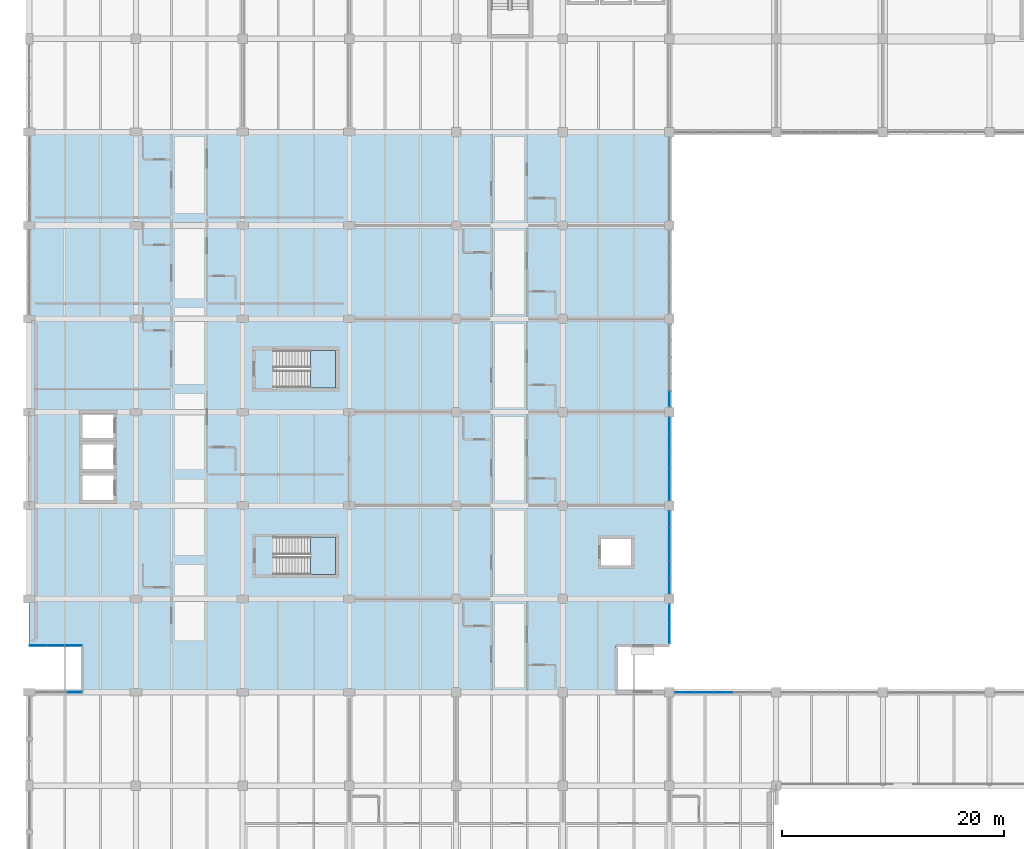
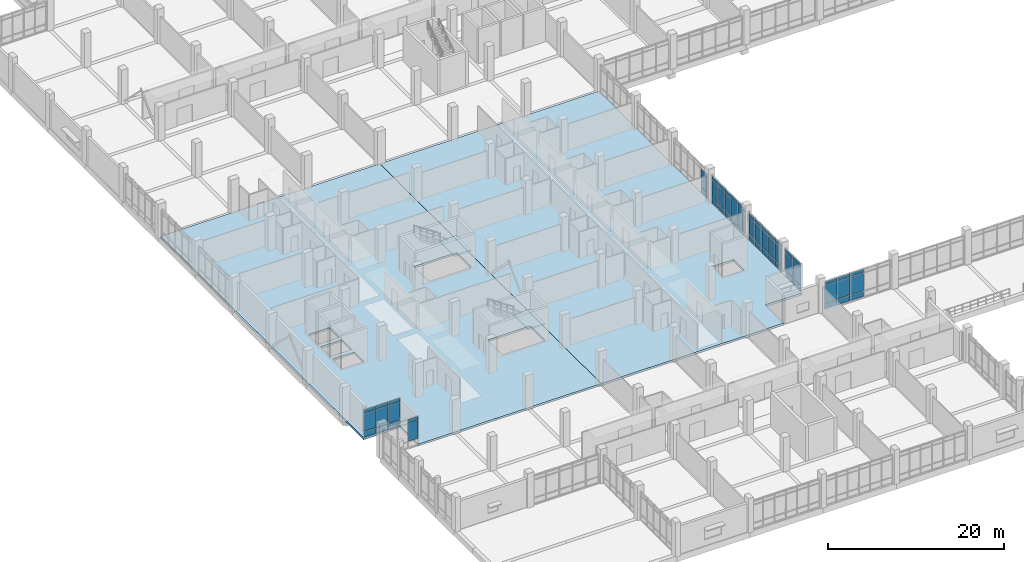
# One storey, part 87 of 152: 58 plates, 4 slabs, 9 elements without a shape of their own.
"""IFC4 building model written with IfcOpenShell, lengths in metres."""

from ifc_helpers import new_model, si_unit, direction, frame, origin, origin_2d, place, context, subcontext, project, spatial, polyline, rectangle, outline, extrude, material, layer, layer_set, type_object, element, aggregate, save


model = new_model("IFC4")

# Units and contexts
model_context = context("Model", 3, precision=1e-05, world=origin(), true_north=direction((0.0, 1.0)))
body_context = subcontext(model_context, "Body", "Model", "MODEL_VIEW")
ifc_project = project(units=[si_unit("LENGTHUNIT", "METRE"), si_unit("AREAUNIT", "SQUARE_METRE"), si_unit("VOLUMEUNIT", "CUBIC_METRE"), si_unit("PLANEANGLEUNIT", "RADIAN"), si_unit("MASSUNIT", "GRAM", prefix="KILO")], contexts=[model_context])

# Site, building, storey
site_placement = place(None, origin())
site = spatial("IfcSite", under=ifc_project, at=site_placement, CompositionType="ELEMENT")
building_placement = place(site_placement, origin())
building = spatial("IfcBuilding", under=site, at=building_placement, Name="Oolite Switchyard Hospital", CompositionType="ELEMENT")
storey_placement = place(building_placement, frame((0.0, 0.0, 5.10009765625)))
storey = spatial("IfcBuildingStorey", under=building, at=storey_placement, Name="L01", CompositionType="ELEMENT", Elevation=5.10009765625)

# Curtain wall, plates
ifc_material_1 = material(Name="Thermally broken aluminum frame with laminated impact glazing", Category="aluminium")
curtain_wall_type_1 = type_object("IfcCurtainWallType", Name="CW-UNIT-84X48", PredefinedType="USERDEFINED", material=ifc_material_1)
curtain_wall_1_placement = place(storey_placement, origin())
curtain_wall_1 = element("IfcCurtainWall", 1, at=curtain_wall_1_placement, inside=storey, type_object=curtain_wall_type_1, Name="L01 Unitised Curtain Wall 108", ObjectType="UNITISED", PredefinedType="USERDEFINED")
ifc_material_2 = material(Name="Insulated fluoropolymer-coated aluminum spandrel panel", Category="aluminium")
ifc_layer_1 = layer(ifc_material_2, 0.070068359375)
ifc_layer_set_1 = layer_set([ifc_layer_1], Name="CW-PNL-SPN70")
plate_type_1 = type_object("IfcPlateType", Name="CW-PNL-SPN70", PredefinedType="CURTAIN_PANEL", material=ifc_layer_set_1)
plate_1_placement = place(storey_placement, frame((4.072509765625, 33.60009765625, 0.8798828125), z_axis=(0.0, 0.0, 1.0), x_axis=(1.0, 0.0, 0.0)))
plate_1 = element("IfcPlate", 2, at=plate_1_placement, type_object=plate_type_1, Name="CW-07 panel 3.2", PredefinedType="CURTAIN_PANEL", context=body_context, shape_type="SweptSolid", body=[
    extrude(rectangle(XDim=1.31494140625, YDim=0.070068359375, at=origin_2d()), origin(), (0.0, 0.0, 1.0), 2.47998046875),
])
plate_2_placement = place(storey_placement, frame((4.072509765625, 33.60009765625, 3.419921875), z_axis=(0.0, 0.0, 1.0), x_axis=(1.0, 0.0, 0.0)))
plate_2 = element("IfcPlate", 3, at=plate_2_placement, type_object=plate_type_1, Name="CW-07 panel 3.3", PredefinedType="CURTAIN_PANEL", context=body_context, shape_type="SweptSolid", body=[
    extrude(rectangle(XDim=1.31494140625, YDim=0.070068359375, at=origin_2d()), origin(), (0.0, 0.0, 1.0), 0.4599609375),
])
aggregate(curtain_wall_1, [plate_1, plate_2])

curtain_wall_2_placement = place(storey_placement, origin())
curtain_wall_2 = element("IfcCurtainWall", 4, at=curtain_wall_2_placement, inside=storey, type_object=curtain_wall_type_1, Name="L01 Unitised Curtain Wall 169", ObjectType="UNITISED", PredefinedType="USERDEFINED")
plate_3_placement = place(storey_placement, frame((57.60009765625, 60.0107421875, 0.07470703125), z_axis=(0.0, 0.0, 1.0), x_axis=(0.0, -1.0, 0.0)))
plate_3 = element("IfcPlate", 5, at=plate_3_placement, type_object=plate_type_1, Name="CW-07 panel 5.1", PredefinedType="CURTAIN_PANEL", context=body_context, shape_type="SweptSolid", body=[
    extrude(rectangle(XDim=1.3916015625, YDim=0.070068359375, at=origin_2d()), origin(), (0.0, 0.0, 1.0), 0.737548828125),
])
plate_4_placement = place(storey_placement, frame((57.60009765625, 60.0107421875, 0.88720703125), z_axis=(0.0, 0.0, 1.0), x_axis=(0.0, -1.0, 0.0)))
plate_4 = element("IfcPlate", 6, at=plate_4_placement, type_object=plate_type_1, Name="CW-07 panel 5.2", PredefinedType="CURTAIN_PANEL", context=body_context, shape_type="SweptSolid", body=[
    extrude(rectangle(XDim=1.3916015625, YDim=0.070068359375, at=origin_2d()), origin(), (0.0, 0.0, 1.0), 2.465087890625),
])
aggregate(curtain_wall_2, [plate_3, plate_4])

curtain_wall_3_placement = place(storey_placement, origin())
curtain_wall_3 = element("IfcCurtainWall", 7, at=curtain_wall_3_placement, inside=storey, type_object=curtain_wall_type_1, Name="L01 Unitised Curtain Wall 170", ObjectType="UNITISED", PredefinedType="USERDEFINED")
ifc_material_3 = material(Name="Laminated hurricane-impact insulated glazing unit", Category="glass")
ifc_layer_2 = layer(ifc_material_3, 0.028076171875)
ifc_layer_set_2 = layer_set([ifc_layer_2], Name="CW-PNL-VIS28")
plate_type_2 = type_object("IfcPlateType", Name="CW-PNL-VIS28", PredefinedType="CURTAIN_PANEL", material=ifc_layer_set_2)
plate_5_placement = place(storey_placement, frame((57.60009765625, 57.593017578125, 0.06005859375), z_axis=(0.0, 0.0, 1.0), x_axis=(0.0, -1.0, 0.0)))
plate_5 = element("IfcPlate", 8, at=plate_5_placement, type_object=plate_type_2, Name="CW-07 panel 1.1", PredefinedType="CURTAIN_PANEL", context=body_context, shape_type="SweptSolid", body=[
    extrude(rectangle(XDim=1.4140625, YDim=0.028076171875, at=origin_2d()), origin(), (0.0, 0.0, 1.0), 0.760009765625),
])
plate_6_placement = place(storey_placement, frame((57.60009765625, 57.593017578125, 0.8798828125), z_axis=(0.0, 0.0, 1.0), x_axis=(0.0, -1.0, 0.0)))
plate_6 = element("IfcPlate", 9, at=plate_6_placement, type_object=plate_type_2, Name="CW-07 panel 1.2", PredefinedType="CURTAIN_PANEL", context=body_context, shape_type="SweptSolid", body=[
    extrude(rectangle(XDim=1.4140625, YDim=0.028076171875, at=origin_2d()), origin(), (0.0, 0.0, 1.0), 2.47998046875),
])
plate_7_placement = place(storey_placement, frame((57.60009765625, 57.593017578125, 3.419921875), z_axis=(0.0, 0.0, 1.0), x_axis=(0.0, -1.0, 0.0)))
plate_7 = element("IfcPlate", 10, at=plate_7_placement, type_object=plate_type_2, Name="CW-07 panel 1.3", PredefinedType="CURTAIN_PANEL", context=body_context, shape_type="SweptSolid", body=[
    extrude(rectangle(XDim=1.4140625, YDim=0.028076171875, at=origin_2d()), origin(), (0.0, 0.0, 1.0), 0.4599609375),
])
plate_8_placement = place(storey_placement, frame((57.60009765625, 56.10400390625, 0.06005859375), z_axis=(0.0, 0.0, 1.0), x_axis=(0.0, -1.0, 0.0)))
plate_8 = element("IfcPlate", 11, at=plate_8_placement, type_object=plate_type_2, Name="CW-07 panel 2.1", PredefinedType="CURTAIN_PANEL", context=body_context, shape_type="SweptSolid", body=[
    extrude(rectangle(XDim=1.444091796875, YDim=0.028076171875, at=origin_2d()), origin(), (0.0, 0.0, 1.0), 0.760009765625),
])
plate_9_placement = place(storey_placement, frame((57.60009765625, 56.10400390625, 0.8798828125), z_axis=(0.0, 0.0, 1.0), x_axis=(0.0, -1.0, 0.0)))
plate_9 = element("IfcPlate", 12, at=plate_9_placement, type_object=plate_type_2, Name="CW-07 panel 2.2", PredefinedType="CURTAIN_PANEL", context=body_context, shape_type="SweptSolid", body=[
    extrude(rectangle(XDim=1.444091796875, YDim=0.028076171875, at=origin_2d()), origin(), (0.0, 0.0, 1.0), 2.47998046875),
])
plate_10_placement = place(storey_placement, frame((57.60009765625, 56.10400390625, 3.419921875), z_axis=(0.0, 0.0, 1.0), x_axis=(0.0, -1.0, 0.0)))
plate_10 = element("IfcPlate", 13, at=plate_10_placement, type_object=plate_type_2, Name="CW-07 panel 2.3", PredefinedType="CURTAIN_PANEL", context=body_context, shape_type="SweptSolid", body=[
    extrude(rectangle(XDim=1.444091796875, YDim=0.028076171875, at=origin_2d()), origin(), (0.0, 0.0, 1.0), 0.4599609375),
])
plate_11_placement = place(storey_placement, frame((57.60009765625, 54.60009765625, 0.06005859375), z_axis=(0.0, 0.0, 1.0), x_axis=(0.0, -1.0, 0.0)))
plate_11 = element("IfcPlate", 14, at=plate_11_placement, type_object=plate_type_2, Name="CW-07 panel 3.1", PredefinedType="CURTAIN_PANEL", context=body_context, shape_type="SweptSolid", body=[
    extrude(rectangle(XDim=1.444091796875, YDim=0.028076171875, at=origin_2d()), origin(), (0.0, 0.0, 1.0), 0.760009765625),
])
plate_12_placement = place(storey_placement, frame((57.60009765625, 54.60009765625, 0.8798828125), z_axis=(0.0, 0.0, 1.0), x_axis=(0.0, -1.0, 0.0)))
plate_12 = element("IfcPlate", 15, at=plate_12_placement, type_object=plate_type_2, Name="CW-07 panel 3.2", PredefinedType="CURTAIN_PANEL", context=body_context, shape_type="SweptSolid", body=[
    extrude(rectangle(XDim=1.444091796875, YDim=0.028076171875, at=origin_2d()), origin(), (0.0, 0.0, 1.0), 2.47998046875),
])
plate_13_placement = place(storey_placement, frame((57.60009765625, 54.60009765625, 3.419921875), z_axis=(0.0, 0.0, 1.0), x_axis=(0.0, -1.0, 0.0)))
plate_13 = element("IfcPlate", 16, at=plate_13_placement, type_object=plate_type_2, Name="CW-07 panel 3.3", PredefinedType="CURTAIN_PANEL", context=body_context, shape_type="SweptSolid", body=[
    extrude(rectangle(XDim=1.444091796875, YDim=0.028076171875, at=origin_2d()), origin(), (0.0, 0.0, 1.0), 0.4599609375),
])
plate_14_placement = place(storey_placement, frame((57.60009765625, 53.095947265625, 0.06005859375), z_axis=(0.0, 0.0, 1.0), x_axis=(0.0, -1.0, 0.0)))
plate_14 = element("IfcPlate", 17, at=plate_14_placement, type_object=plate_type_2, Name="CW-07 panel 4.1", PredefinedType="CURTAIN_PANEL", context=body_context, shape_type="SweptSolid", body=[
    extrude(rectangle(XDim=1.444091796875, YDim=0.028076171875, at=origin_2d()), origin(), (0.0, 0.0, 1.0), 0.760009765625),
])
plate_15_placement = place(storey_placement, frame((57.60009765625, 53.095947265625, 0.8798828125), z_axis=(0.0, 0.0, 1.0), x_axis=(0.0, -1.0, 0.0)))
plate_15 = element("IfcPlate", 18, at=plate_15_placement, type_object=plate_type_2, Name="CW-07 panel 4.2", PredefinedType="CURTAIN_PANEL", context=body_context, shape_type="SweptSolid", body=[
    extrude(rectangle(XDim=1.444091796875, YDim=0.028076171875, at=origin_2d()), origin(), (0.0, 0.0, 1.0), 2.47998046875),
])
plate_16_placement = place(storey_placement, frame((57.60009765625, 53.095947265625, 3.419921875), z_axis=(0.0, 0.0, 1.0), x_axis=(0.0, -1.0, 0.0)))
plate_16 = element("IfcPlate", 19, at=plate_16_placement, type_object=plate_type_2, Name="CW-07 panel 4.3", PredefinedType="CURTAIN_PANEL", context=body_context, shape_type="SweptSolid", body=[
    extrude(rectangle(XDim=1.444091796875, YDim=0.028076171875, at=origin_2d()), origin(), (0.0, 0.0, 1.0), 0.4599609375),
])
plate_17_placement = place(storey_placement, frame((57.60009765625, 51.60693359375, 0.06005859375), z_axis=(0.0, 0.0, 1.0), x_axis=(0.0, -1.0, 0.0)))
plate_17 = element("IfcPlate", 20, at=plate_17_placement, type_object=plate_type_2, Name="CW-07 panel 5.1", PredefinedType="CURTAIN_PANEL", context=body_context, shape_type="SweptSolid", body=[
    extrude(rectangle(XDim=1.4140625, YDim=0.028076171875, at=origin_2d()), origin(), (0.0, 0.0, 1.0), 0.760009765625),
])
plate_18_placement = place(storey_placement, frame((57.60009765625, 51.60693359375, 0.8798828125), z_axis=(0.0, 0.0, 1.0), x_axis=(0.0, -1.0, 0.0)))
plate_18 = element("IfcPlate", 21, at=plate_18_placement, type_object=plate_type_2, Name="CW-07 panel 5.2", PredefinedType="CURTAIN_PANEL", context=body_context, shape_type="SweptSolid", body=[
    extrude(rectangle(XDim=1.4140625, YDim=0.028076171875, at=origin_2d()), origin(), (0.0, 0.0, 1.0), 2.47998046875),
])
plate_19_placement = place(storey_placement, frame((57.60009765625, 51.60693359375, 3.419921875), z_axis=(0.0, 0.0, 1.0), x_axis=(0.0, -1.0, 0.0)))
plate_19 = element("IfcPlate", 22, at=plate_19_placement, type_object=plate_type_2, Name="CW-07 panel 5.3", PredefinedType="CURTAIN_PANEL", context=body_context, shape_type="SweptSolid", body=[
    extrude(rectangle(XDim=1.4140625, YDim=0.028076171875, at=origin_2d()), origin(), (0.0, 0.0, 1.0), 0.4599609375),
])
aggregate(curtain_wall_3, [plate_5, plate_6, plate_7, plate_8, plate_9, plate_10, plate_11, plate_12, plate_13, plate_14, plate_15, plate_16, plate_17, plate_18, plate_19])

curtain_wall_4_placement = place(storey_placement, origin())
curtain_wall_4 = element("IfcCurtainWall", 23, at=curtain_wall_4_placement, inside=storey, type_object=curtain_wall_type_1, Name="L01 Unitised Curtain Wall 171", ObjectType="UNITISED", PredefinedType="USERDEFINED")
ifc_layer_3 = layer(ifc_material_3, 0.031982421875)
ifc_layer_set_3 = layer_set([ifc_layer_3], Name="CW-PNL-VIS32")
plate_type_3 = type_object("IfcPlateType", Name="CW-PNL-VIS32", PredefinedType="CURTAIN_PANEL", material=ifc_layer_set_3)
plate_20_placement = place(storey_placement, frame((57.60009765625, 49.1904296875, 0.07470703125), z_axis=(0.0, 0.0, 1.0), x_axis=(0.0, -1.0, 0.0)))
plate_20 = element("IfcPlate", 24, at=plate_20_placement, type_object=plate_type_3, Name="CW-07 panel 1.1", PredefinedType="CURTAIN_PANEL", context=body_context, shape_type="SweptSolid", body=[
    extrude(rectangle(XDim=1.39892578125, YDim=0.031982421875, at=origin_2d()), origin(), (0.0, 0.0, 1.0), 0.737548828125),
])
plate_21_placement = place(storey_placement, frame((57.60009765625, 49.1904296875, 0.88720703125), z_axis=(0.0, 0.0, 1.0), x_axis=(0.0, -1.0, 0.0)))
plate_21 = element("IfcPlate", 25, at=plate_21_placement, type_object=plate_type_3, Name="CW-07 panel 1.2", PredefinedType="CURTAIN_PANEL", context=body_context, shape_type="SweptSolid", body=[
    extrude(rectangle(XDim=1.39892578125, YDim=0.031982421875, at=origin_2d()), origin(), (0.0, 0.0, 1.0), 2.465087890625),
])
plate_22_placement = place(storey_placement, frame((57.60009765625, 49.1904296875, 3.427490234375), z_axis=(0.0, 0.0, 1.0), x_axis=(0.0, -1.0, 0.0)))
plate_22 = element("IfcPlate", 26, at=plate_22_placement, type_object=plate_type_3, Name="CW-07 panel 1.3", PredefinedType="CURTAIN_PANEL", context=body_context, shape_type="SweptSolid", body=[
    extrude(rectangle(XDim=1.39892578125, YDim=0.031982421875, at=origin_2d()), origin(), (0.0, 0.0, 1.0), 0.4375),
])
plate_23_placement = place(storey_placement, frame((57.60009765625, 47.7041015625, 0.07470703125), z_axis=(0.0, 0.0, 1.0), x_axis=(0.0, -1.0, 0.0)))
plate_23 = element("IfcPlate", 27, at=plate_23_placement, type_object=plate_type_3, Name="CW-07 panel 2.1", PredefinedType="CURTAIN_PANEL", context=body_context, shape_type="SweptSolid", body=[
    extrude(rectangle(XDim=1.43408203125, YDim=0.031982421875, at=origin_2d()), origin(), (0.0, 0.0, 1.0), 0.737548828125),
])
plate_24_placement = place(storey_placement, frame((57.60009765625, 47.7041015625, 0.88720703125), z_axis=(0.0, 0.0, 1.0), x_axis=(0.0, -1.0, 0.0)))
plate_24 = element("IfcPlate", 28, at=plate_24_placement, type_object=plate_type_3, Name="CW-07 panel 2.2", PredefinedType="CURTAIN_PANEL", context=body_context, shape_type="SweptSolid", body=[
    extrude(rectangle(XDim=1.43408203125, YDim=0.031982421875, at=origin_2d()), origin(), (0.0, 0.0, 1.0), 2.465087890625),
])
plate_25_placement = place(storey_placement, frame((57.60009765625, 47.7041015625, 3.427490234375), z_axis=(0.0, 0.0, 1.0), x_axis=(0.0, -1.0, 0.0)))
plate_25 = element("IfcPlate", 29, at=plate_25_placement, type_object=plate_type_3, Name="CW-07 panel 2.3", PredefinedType="CURTAIN_PANEL", context=body_context, shape_type="SweptSolid", body=[
    extrude(rectangle(XDim=1.43408203125, YDim=0.031982421875, at=origin_2d()), origin(), (0.0, 0.0, 1.0), 0.4375),
])
plate_26_placement = place(storey_placement, frame((57.60009765625, 46.199951171875, 0.07470703125), z_axis=(0.0, 0.0, 1.0), x_axis=(0.0, -1.0, 0.0)))
plate_26 = element("IfcPlate", 30, at=plate_26_placement, type_object=plate_type_3, Name="CW-07 panel 3.1", PredefinedType="CURTAIN_PANEL", context=body_context, shape_type="SweptSolid", body=[
    extrude(rectangle(XDim=1.43408203125, YDim=0.031982421875, at=origin_2d()), origin(), (0.0, 0.0, 1.0), 0.737548828125),
])
plate_27_placement = place(storey_placement, frame((57.60009765625, 46.199951171875, 0.88720703125), z_axis=(0.0, 0.0, 1.0), x_axis=(0.0, -1.0, 0.0)))
plate_27 = element("IfcPlate", 31, at=plate_27_placement, type_object=plate_type_3, Name="CW-07 panel 3.2", PredefinedType="CURTAIN_PANEL", context=body_context, shape_type="SweptSolid", body=[
    extrude(rectangle(XDim=1.43408203125, YDim=0.031982421875, at=origin_2d()), origin(), (0.0, 0.0, 1.0), 2.465087890625),
])
plate_28_placement = place(storey_placement, frame((57.60009765625, 46.199951171875, 3.427490234375), z_axis=(0.0, 0.0, 1.0), x_axis=(0.0, -1.0, 0.0)))
plate_28 = element("IfcPlate", 32, at=plate_28_placement, type_object=plate_type_3, Name="CW-07 panel 3.3", PredefinedType="CURTAIN_PANEL", context=body_context, shape_type="SweptSolid", body=[
    extrude(rectangle(XDim=1.43408203125, YDim=0.031982421875, at=origin_2d()), origin(), (0.0, 0.0, 1.0), 0.4375),
])
plate_29_placement = place(storey_placement, frame((57.60009765625, 44.696044921875, 0.07470703125), z_axis=(0.0, 0.0, 1.0), x_axis=(0.0, -1.0, 0.0)))
plate_29 = element("IfcPlate", 33, at=plate_29_placement, type_object=plate_type_3, Name="CW-07 panel 4.1", PredefinedType="CURTAIN_PANEL", context=body_context, shape_type="SweptSolid", body=[
    extrude(rectangle(XDim=1.43408203125, YDim=0.031982421875, at=origin_2d()), origin(), (0.0, 0.0, 1.0), 0.737548828125),
])
plate_30_placement = place(storey_placement, frame((57.60009765625, 44.696044921875, 0.88720703125), z_axis=(0.0, 0.0, 1.0), x_axis=(0.0, -1.0, 0.0)))
plate_30 = element("IfcPlate", 34, at=plate_30_placement, type_object=plate_type_3, Name="CW-07 panel 4.2", PredefinedType="CURTAIN_PANEL", context=body_context, shape_type="SweptSolid", body=[
    extrude(rectangle(XDim=1.43408203125, YDim=0.031982421875, at=origin_2d()), origin(), (0.0, 0.0, 1.0), 2.465087890625),
])
plate_31_placement = place(storey_placement, frame((57.60009765625, 44.696044921875, 3.427490234375), z_axis=(0.0, 0.0, 1.0), x_axis=(0.0, -1.0, 0.0)))
plate_31 = element("IfcPlate", 35, at=plate_31_placement, type_object=plate_type_3, Name="CW-07 panel 4.3", PredefinedType="CURTAIN_PANEL", context=body_context, shape_type="SweptSolid", body=[
    extrude(rectangle(XDim=1.43408203125, YDim=0.031982421875, at=origin_2d()), origin(), (0.0, 0.0, 1.0), 0.4375),
])
plate_32_placement = place(storey_placement, frame((57.60009765625, 43.20947265625, 0.07470703125), z_axis=(0.0, 0.0, 1.0), x_axis=(0.0, -1.0, 0.0)))
plate_32 = element("IfcPlate", 36, at=plate_32_placement, type_object=plate_type_3, Name="CW-07 panel 5.1", PredefinedType="CURTAIN_PANEL", context=body_context, shape_type="SweptSolid", body=[
    extrude(rectangle(XDim=1.39892578125, YDim=0.031982421875, at=origin_2d()), origin(), (0.0, 0.0, 1.0), 0.737548828125),
])
plate_33_placement = place(storey_placement, frame((57.60009765625, 43.20947265625, 0.88720703125), z_axis=(0.0, 0.0, 1.0), x_axis=(0.0, -1.0, 0.0)))
plate_33 = element("IfcPlate", 37, at=plate_33_placement, type_object=plate_type_3, Name="CW-07 panel 5.2", PredefinedType="CURTAIN_PANEL", context=body_context, shape_type="SweptSolid", body=[
    extrude(rectangle(XDim=1.39892578125, YDim=0.031982421875, at=origin_2d()), origin(), (0.0, 0.0, 1.0), 2.465087890625),
])
plate_34_placement = place(storey_placement, frame((57.60009765625, 43.20947265625, 3.427490234375), z_axis=(0.0, 0.0, 1.0), x_axis=(0.0, -1.0, 0.0)))
plate_34 = element("IfcPlate", 38, at=plate_34_placement, type_object=plate_type_3, Name="CW-07 panel 5.3", PredefinedType="CURTAIN_PANEL", context=body_context, shape_type="SweptSolid", body=[
    extrude(rectangle(XDim=1.39892578125, YDim=0.031982421875, at=origin_2d()), origin(), (0.0, 0.0, 1.0), 0.4375),
])
aggregate(curtain_wall_4, [plate_20, plate_21, plate_22, plate_23, plate_24, plate_25, plate_26, plate_27, plate_28, plate_29, plate_30, plate_31, plate_32, plate_33, plate_34])

curtain_wall_type_2 = type_object("IfcCurtainWallType", Name="CW-UNIT-96X48", PredefinedType="USERDEFINED", material=ifc_material_1)
curtain_wall_5_placement = place(storey_placement, origin())
curtain_wall_5 = element("IfcCurtainWall", 39, at=curtain_wall_5_placement, inside=storey, type_object=curtain_wall_type_2, Name="L01 Unitised Curtain Wall 109", ObjectType="UNITISED", PredefinedType="USERDEFINED")
ifc_layer_4 = layer(ifc_material_3, 0.035888671875)
ifc_layer_set_4 = layer_set([ifc_layer_4], Name="CW-PNL-VIS36")
plate_type_4 = type_object("IfcPlateType", Name="CW-PNL-VIS36", PredefinedType="CURTAIN_PANEL", material=ifc_layer_set_4)
plate_35_placement = place(storey_placement, frame((58.9306640625, 33.60009765625, 0.07470703125), z_axis=(0.0, 0.0, 1.0), x_axis=(1.0, 0.0, 0.0)))
plate_35 = element("IfcPlate", 40, at=plate_35_placement, type_object=plate_type_4, Name="CW-02 panel 1.1", PredefinedType="CURTAIN_PANEL", context=body_context, shape_type="SweptSolid", body=[
    extrude(rectangle(XDim=1.631591796875, YDim=0.035888671875, at=origin_2d()), origin(), (0.0, 0.0, 1.0), 0.737548828125),
])
plate_36_placement = place(storey_placement, frame((58.9306640625, 33.60009765625, 0.88720703125), z_axis=(0.0, 0.0, 1.0), x_axis=(1.0, 0.0, 0.0)))
plate_36 = element("IfcPlate", 41, at=plate_36_placement, type_object=plate_type_4, Name="CW-02 panel 1.2", PredefinedType="CURTAIN_PANEL", context=body_context, shape_type="SweptSolid", body=[
    extrude(rectangle(XDim=1.631591796875, YDim=0.035888671875, at=origin_2d()), origin(), (0.0, 0.0, 1.0), 2.465087890625),
])
plate_37_placement = place(storey_placement, frame((58.9306640625, 33.60009765625, 3.427490234375), z_axis=(0.0, 0.0, 1.0), x_axis=(1.0, 0.0, 0.0)))
plate_37 = element("IfcPlate", 42, at=plate_37_placement, type_object=plate_type_4, Name="CW-02 panel 1.3", PredefinedType="CURTAIN_PANEL", context=body_context, shape_type="SweptSolid", body=[
    extrude(rectangle(XDim=1.631591796875, YDim=0.035888671875, at=origin_2d()), origin(), (0.0, 0.0, 1.0), 0.4375),
])
plate_38_placement = place(storey_placement, frame((60.656005859375, 33.60009765625, 0.07470703125), z_axis=(0.0, 0.0, 1.0), x_axis=(1.0, 0.0, 0.0)))
plate_38 = element("IfcPlate", 43, at=plate_38_placement, type_object=plate_type_4, Name="CW-02 panel 2.1", PredefinedType="CURTAIN_PANEL", context=body_context, shape_type="SweptSolid", body=[
    extrude(rectangle(XDim=1.6689453125, YDim=0.035888671875, at=origin_2d()), origin(), (0.0, 0.0, 1.0), 0.737548828125),
])
plate_39_placement = place(storey_placement, frame((60.656005859375, 33.60009765625, 0.88720703125), z_axis=(0.0, 0.0, 1.0), x_axis=(1.0, 0.0, 0.0)))
plate_39 = element("IfcPlate", 44, at=plate_39_placement, type_object=plate_type_4, Name="CW-02 panel 2.2", PredefinedType="CURTAIN_PANEL", context=body_context, shape_type="SweptSolid", body=[
    extrude(rectangle(XDim=1.6689453125, YDim=0.035888671875, at=origin_2d()), origin(), (0.0, 0.0, 1.0), 2.465087890625),
])
plate_40_placement = place(storey_placement, frame((60.656005859375, 33.60009765625, 3.427490234375), z_axis=(0.0, 0.0, 1.0), x_axis=(1.0, 0.0, 0.0)))
plate_40 = element("IfcPlate", 45, at=plate_40_placement, type_object=plate_type_4, Name="CW-02 panel 2.3", PredefinedType="CURTAIN_PANEL", context=body_context, shape_type="SweptSolid", body=[
    extrude(rectangle(XDim=1.6689453125, YDim=0.035888671875, at=origin_2d()), origin(), (0.0, 0.0, 1.0), 0.4375),
])
plate_41_placement = place(storey_placement, frame((62.39990234375, 33.60009765625, 0.07470703125), z_axis=(0.0, 0.0, 1.0), x_axis=(1.0, 0.0, 0.0)))
plate_41 = element("IfcPlate", 46, at=plate_41_placement, type_object=plate_type_4, Name="CW-02 panel 3.1", PredefinedType="CURTAIN_PANEL", context=body_context, shape_type="SweptSolid", body=[
    extrude(rectangle(XDim=1.6689453125, YDim=0.035888671875, at=origin_2d()), origin(), (0.0, 0.0, 1.0), 0.737548828125),
])
plate_42_placement = place(storey_placement, frame((62.39990234375, 33.60009765625, 0.88720703125), z_axis=(0.0, 0.0, 1.0), x_axis=(1.0, 0.0, 0.0)))
plate_42 = element("IfcPlate", 47, at=plate_42_placement, type_object=plate_type_4, Name="CW-02 panel 3.2", PredefinedType="CURTAIN_PANEL", context=body_context, shape_type="SweptSolid", body=[
    extrude(rectangle(XDim=1.6689453125, YDim=0.035888671875, at=origin_2d()), origin(), (0.0, 0.0, 1.0), 2.465087890625),
])
plate_43_placement = place(storey_placement, frame((62.39990234375, 33.60009765625, 3.427490234375), z_axis=(0.0, 0.0, 1.0), x_axis=(1.0, 0.0, 0.0)))
plate_43 = element("IfcPlate", 48, at=plate_43_placement, type_object=plate_type_4, Name="CW-02 panel 3.3", PredefinedType="CURTAIN_PANEL", context=body_context, shape_type="SweptSolid", body=[
    extrude(rectangle(XDim=1.6689453125, YDim=0.035888671875, at=origin_2d()), origin(), (0.0, 0.0, 1.0), 0.4375),
])
aggregate(curtain_wall_5, [plate_35, plate_36, plate_37, plate_38, plate_39, plate_40, plate_41, plate_42, plate_43])

curtain_wall_6_placement = place(storey_placement, origin())
curtain_wall_6 = element("IfcCurtainWall", 49, at=curtain_wall_6_placement, inside=storey, type_object=curtain_wall_type_1, Name="L01 Unitised Curtain Wall 119", ObjectType="UNITISED", PredefinedType="USERDEFINED")
plate_44_placement = place(storey_placement, frame((3.985107421875, 37.800048828125, 0.07470703125), z_axis=(0.0, 0.0, 1.0), x_axis=(-1.0, 0.0, 0.0)))
plate_44 = element("IfcPlate", 50, at=plate_44_placement, type_object=plate_type_4, Name="CW-07 panel 1.1", PredefinedType="CURTAIN_PANEL", context=body_context, shape_type="SweptSolid", body=[
    extrude(rectangle(XDim=1.510009765625, YDim=0.035888671875, at=origin_2d()), origin(), (0.0, 0.0, 1.0), 0.737548828125),
])
plate_45_placement = place(storey_placement, frame((3.985107421875, 37.800048828125, 0.88720703125), z_axis=(0.0, 0.0, 1.0), x_axis=(-1.0, 0.0, 0.0)))
plate_45 = element("IfcPlate", 51, at=plate_45_placement, type_object=plate_type_4, Name="CW-07 panel 1.2", PredefinedType="CURTAIN_PANEL", context=body_context, shape_type="SweptSolid", body=[
    extrude(rectangle(XDim=1.510009765625, YDim=0.035888671875, at=origin_2d()), origin(), (0.0, 0.0, 1.0), 2.465087890625),
])
plate_46_placement = place(storey_placement, frame((3.985107421875, 37.800048828125, 3.427490234375), z_axis=(0.0, 0.0, 1.0), x_axis=(-1.0, 0.0, 0.0)))
plate_46 = element("IfcPlate", 52, at=plate_46_placement, type_object=plate_type_4, Name="CW-07 panel 1.3", PredefinedType="CURTAIN_PANEL", context=body_context, shape_type="SweptSolid", body=[
    extrude(rectangle(XDim=1.510009765625, YDim=0.035888671875, at=origin_2d()), origin(), (0.0, 0.0, 1.0), 0.4375),
])
plate_47_placement = place(storey_placement, frame((2.39990234375, 37.800048828125, 0.07470703125), z_axis=(0.0, 0.0, 1.0), x_axis=(-1.0, 0.0, 0.0)))
plate_47 = element("IfcPlate", 53, at=plate_47_placement, type_object=plate_type_4, Name="CW-07 panel 2.1", PredefinedType="CURTAIN_PANEL", context=body_context, shape_type="SweptSolid", body=[
    extrude(rectangle(XDim=1.5400390625, YDim=0.035888671875, at=origin_2d()), origin(), (0.0, 0.0, 1.0), 0.737548828125),
])
plate_48_placement = place(storey_placement, frame((2.39990234375, 37.800048828125, 0.88720703125), z_axis=(0.0, 0.0, 1.0), x_axis=(-1.0, 0.0, 0.0)))
plate_48 = element("IfcPlate", 54, at=plate_48_placement, type_object=plate_type_4, Name="CW-07 panel 2.2", PredefinedType="CURTAIN_PANEL", context=body_context, shape_type="SweptSolid", body=[
    extrude(rectangle(XDim=1.5400390625, YDim=0.035888671875, at=origin_2d()), origin(), (0.0, 0.0, 1.0), 2.465087890625),
])
plate_49_placement = place(storey_placement, frame((2.39990234375, 37.800048828125, 3.427490234375), z_axis=(0.0, 0.0, 1.0), x_axis=(-1.0, 0.0, 0.0)))
plate_49 = element("IfcPlate", 55, at=plate_49_placement, type_object=plate_type_4, Name="CW-07 panel 2.3", PredefinedType="CURTAIN_PANEL", context=body_context, shape_type="SweptSolid", body=[
    extrude(rectangle(XDim=1.5400390625, YDim=0.035888671875, at=origin_2d()), origin(), (0.0, 0.0, 1.0), 0.4375),
])
plate_50_placement = place(storey_placement, frame((0.81494140625, 37.800048828125, 0.07470703125), z_axis=(0.0, 0.0, 1.0), x_axis=(-1.0, 0.0, 0.0)))
plate_50 = element("IfcPlate", 56, at=plate_50_placement, type_object=plate_type_4, Name="CW-07 panel 3.1", PredefinedType="CURTAIN_PANEL", context=body_context, shape_type="SweptSolid", body=[
    extrude(rectangle(XDim=1.510009765625, YDim=0.035888671875, at=origin_2d()), origin(), (0.0, 0.0, 1.0), 0.737548828125),
])
plate_51_placement = place(storey_placement, frame((0.81494140625, 37.800048828125, 0.88720703125), z_axis=(0.0, 0.0, 1.0), x_axis=(-1.0, 0.0, 0.0)))
plate_51 = element("IfcPlate", 57, at=plate_51_placement, type_object=plate_type_4, Name="CW-07 panel 3.2", PredefinedType="CURTAIN_PANEL", context=body_context, shape_type="SweptSolid", body=[
    extrude(rectangle(XDim=1.510009765625, YDim=0.035888671875, at=origin_2d()), origin(), (0.0, 0.0, 1.0), 2.465087890625),
])
plate_52_placement = place(storey_placement, frame((0.81494140625, 37.800048828125, 3.427490234375), z_axis=(0.0, 0.0, 1.0), x_axis=(-1.0, 0.0, 0.0)))
plate_52 = element("IfcPlate", 58, at=plate_52_placement, type_object=plate_type_4, Name="CW-07 panel 3.3", PredefinedType="CURTAIN_PANEL", context=body_context, shape_type="SweptSolid", body=[
    extrude(rectangle(XDim=1.510009765625, YDim=0.035888671875, at=origin_2d()), origin(), (0.0, 0.0, 1.0), 0.4375),
])
aggregate(curtain_wall_6, [plate_44, plate_45, plate_46, plate_47, plate_48, plate_49, plate_50, plate_51, plate_52])

curtain_wall_7_placement = place(storey_placement, origin())
curtain_wall_7 = element("IfcCurtainWall", 59, at=curtain_wall_7_placement, inside=storey, type_object=curtain_wall_type_1, Name="L01 Unitised Curtain Wall 172", ObjectType="UNITISED", PredefinedType="USERDEFINED")
plate_53_placement = place(storey_placement, frame((57.60009765625, 40.641357421875, 0.06005859375), z_axis=(0.0, 0.0, 1.0), x_axis=(0.0, -1.0, 0.0)))
plate_53 = element("IfcPlate", 60, at=plate_53_placement, type_object=plate_type_4, Name="CW-07 panel 1.1", PredefinedType="CURTAIN_PANEL", context=body_context, shape_type="SweptSolid", body=[
    extrude(rectangle(XDim=1.6875, YDim=0.035888671875, at=origin_2d()), origin(), (0.0, 0.0, 1.0), 0.760009765625),
])
plate_54_placement = place(storey_placement, frame((57.60009765625, 40.641357421875, 0.8798828125), z_axis=(0.0, 0.0, 1.0), x_axis=(0.0, -1.0, 0.0)))
plate_54 = element("IfcPlate", 61, at=plate_54_placement, type_object=plate_type_4, Name="CW-07 panel 1.2", PredefinedType="CURTAIN_PANEL", context=body_context, shape_type="SweptSolid", body=[
    extrude(rectangle(XDim=1.6875, YDim=0.035888671875, at=origin_2d()), origin(), (0.0, 0.0, 1.0), 2.47998046875),
])
plate_55_placement = place(storey_placement, frame((57.60009765625, 40.641357421875, 3.419921875), z_axis=(0.0, 0.0, 1.0), x_axis=(0.0, -1.0, 0.0)))
plate_55 = element("IfcPlate", 62, at=plate_55_placement, type_object=plate_type_4, Name="CW-07 panel 1.3", PredefinedType="CURTAIN_PANEL", context=body_context, shape_type="SweptSolid", body=[
    extrude(rectangle(XDim=1.6875, YDim=0.035888671875, at=origin_2d()), origin(), (0.0, 0.0, 1.0), 0.4599609375),
])
plate_56_placement = place(storey_placement, frame((57.60009765625, 38.878662109375, 0.06005859375), z_axis=(0.0, 0.0, 1.0), x_axis=(0.0, -1.0, 0.0)))
plate_56 = element("IfcPlate", 63, at=plate_56_placement, type_object=plate_type_4, Name="CW-07 panel 2.1", PredefinedType="CURTAIN_PANEL", context=body_context, shape_type="SweptSolid", body=[
    extrude(rectangle(XDim=1.6875, YDim=0.035888671875, at=origin_2d()), origin(), (0.0, 0.0, 1.0), 0.760009765625),
])
plate_57_placement = place(storey_placement, frame((57.60009765625, 38.878662109375, 0.8798828125), z_axis=(0.0, 0.0, 1.0), x_axis=(0.0, -1.0, 0.0)))
plate_57 = element("IfcPlate", 64, at=plate_57_placement, type_object=plate_type_4, Name="CW-07 panel 2.2", PredefinedType="CURTAIN_PANEL", context=body_context, shape_type="SweptSolid", body=[
    extrude(rectangle(XDim=1.6875, YDim=0.035888671875, at=origin_2d()), origin(), (0.0, 0.0, 1.0), 2.47998046875),
])
plate_58_placement = place(storey_placement, frame((57.60009765625, 38.878662109375, 3.419921875), z_axis=(0.0, 0.0, 1.0), x_axis=(0.0, -1.0, 0.0)))
plate_58 = element("IfcPlate", 65, at=plate_58_placement, type_object=plate_type_4, Name="CW-07 panel 2.3", PredefinedType="CURTAIN_PANEL", context=body_context, shape_type="SweptSolid", body=[
    extrude(rectangle(XDim=1.6875, YDim=0.035888671875, at=origin_2d()), origin(), (0.0, 0.0, 1.0), 0.4599609375),
])
aggregate(curtain_wall_7, [plate_53, plate_54, plate_55, plate_56, plate_57, plate_58])

# Slabs
ifc_material_4 = material(Name="Concrete C40/50", Category="concrete")
ifc_layer_5 = layer(ifc_material_4, 0.27490234375)
ifc_layer_set_5 = layer_set([ifc_layer_5], Name="SLB-FLR-275")
slab_type_1 = type_object("IfcSlabType", Name="SLB-FLR-275", PredefinedType="FLOOR", material=ifc_layer_set_5)
slab_1_placement = place(storey_placement, frame((0.0, 0.0, -0.275146484375)))
element("IfcSlab", 66, at=slab_1_placement, inside=storey, type_object=slab_type_1, Name="L01 V5W Slab V5W", PredefinedType="FLOOR", context=body_context, shape_type="SweptSolid", body=[
    extrude(outline(polyline([(4.800048828125, 33.60009765625), (28.800048828125, 33.60009765625), (28.800048828125, 84.0), (0.0, 84.0), (0.0, 37.800048828125), (4.800048828125, 37.800048828125), (4.800048828125, 33.60009765625)]), holes=[polyline([(21.9599609375, 44.199951171875), (27.550048828125, 44.199951171875), (27.550048828125, 47.56005859375), (21.9599609375, 47.56005859375), (21.9599609375, 44.199951171875)]), polyline([(21.9599609375, 61.0), (27.550048828125, 61.0), (27.550048828125, 64.360107421875), (21.9599609375, 64.360107421875), (21.9599609375, 61.0)]), polyline([(4.800048828125, 50.89990234375), (7.60009765625, 50.89990234375), (7.60009765625, 53.10009765625), (4.800048828125, 53.10009765625), (4.800048828125, 50.89990234375)]), polyline([(4.800048828125, 53.699951171875), (7.60009765625, 53.699951171875), (7.60009765625, 55.89990234375), (4.800048828125, 55.89990234375), (4.800048828125, 53.699951171875)]), polyline([(4.800048828125, 56.5), (7.60009765625, 56.5), (7.60009765625, 58.699951171875), (4.800048828125, 58.699951171875), (4.800048828125, 56.5)])]), origin(), (0.0, 0.0, 1.0), 0.275146484375),
])
ifc_layer_6 = layer(ifc_material_4, 0.300048828125)
ifc_layer_set_6 = layer_set([ifc_layer_6], Name="SLB-FLR-300")
slab_type_2 = type_object("IfcSlabType", Name="SLB-FLR-300", PredefinedType="FLOOR", material=ifc_layer_set_6)
slab_2_placement = place(storey_placement, frame((0.0, 0.0, -0.300048828125)))
element("IfcSlab", 67, at=slab_2_placement, inside=storey, type_object=slab_type_2, Name="L01 V4 Slab V4W", PredefinedType="FLOOR", context=body_context, shape_type="SweptSolid", body=[
    extrude(outline(polyline([(28.800048828125, 33.60009765625), (52.800048828125, 33.60009765625), (52.800048828125, 37.800048828125), (57.60009765625, 37.800048828125), (57.60009765625, 84.0), (28.800048828125, 84.0), (28.800048828125, 33.60009765625)]), holes=[polyline([(51.449951171875, 45.0), (54.14990234375, 45.0), (54.14990234375, 47.39990234375), (51.449951171875, 47.39990234375), (51.449951171875, 45.0)])]), origin(), (0.0, 0.0, 1.0), 0.300048828125),
])

# Stair, slab
stair_type = type_object("IfcStairType", Name="STR-DL-156-R26", PredefinedType="HALF_TURN_STAIR", material=ifc_material_4)
stair_1_placement = place(storey_placement, origin())
stair_1 = element("IfcStair", 68, at=stair_1_placement, inside=storey, type_object=stair_type, Name="L01 Exit Stair ST-01", PredefinedType="HALF_TURN_STAIR")
ifc_layer_7 = layer(ifc_material_4, 0.199951171875)
ifc_layer_set_7 = layer_set([ifc_layer_7], Name="SLB-LND-200")
slab_type_3 = type_object("IfcSlabType", Name="SLB-LND-200", PredefinedType="LANDING", material=ifc_layer_set_7)
slab_3_placement = place(storey_placement, frame((0.0, 0.0, 2.199951171875)))
slab_3 = element("IfcSlab", 69, at=slab_3_placement, type_object=slab_type_3, Name="ST-01 landing 1", PredefinedType="LANDING", context=body_context, shape_type="SweptSolid", body=[
    extrude(outline(polyline([(25.320068359375, 44.199951171875), (27.550048828125, 44.199951171875), (27.550048828125, 47.56005859375), (25.320068359375, 47.56005859375), (25.320068359375, 44.199951171875)])), origin(), (0.0, 0.0, 1.0), 0.199951171875),
])
aggregate(stair_1, [slab_3])

stair_2_placement = place(storey_placement, origin())
stair_2 = element("IfcStair", 70, at=stair_2_placement, inside=storey, type_object=stair_type, Name="L01 Exit Stair ST-02", PredefinedType="HALF_TURN_STAIR")
slab_4_placement = place(storey_placement, frame((0.0, 0.0, 2.199951171875)))
slab_4 = element("IfcSlab", 71, at=slab_4_placement, type_object=slab_type_3, Name="ST-02 landing 1", PredefinedType="LANDING", context=body_context, shape_type="SweptSolid", body=[
    extrude(outline(polyline([(25.320068359375, 61.0), (27.550048828125, 61.0), (27.550048828125, 64.360107421875), (25.320068359375, 64.360107421875), (25.320068359375, 61.0)])), origin(), (0.0, 0.0, 1.0), 0.199951171875),
])
aggregate(stair_2, [slab_4])

save(model, "model.ifc")
